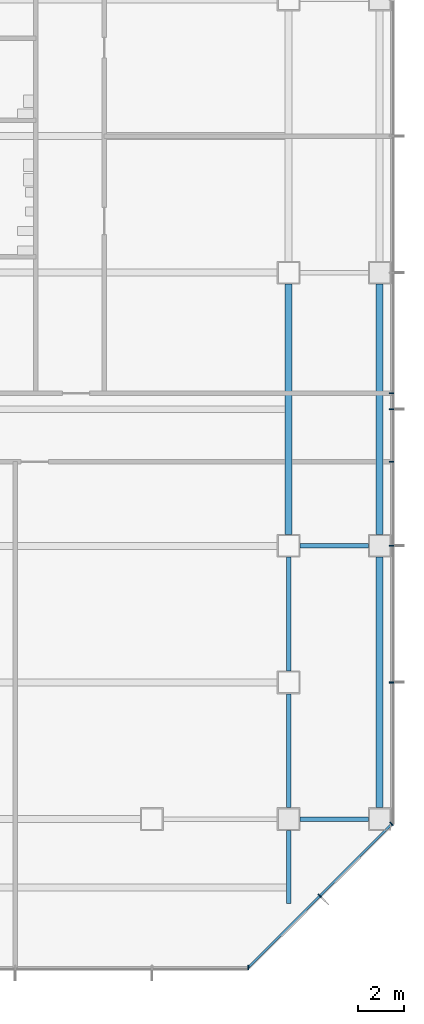
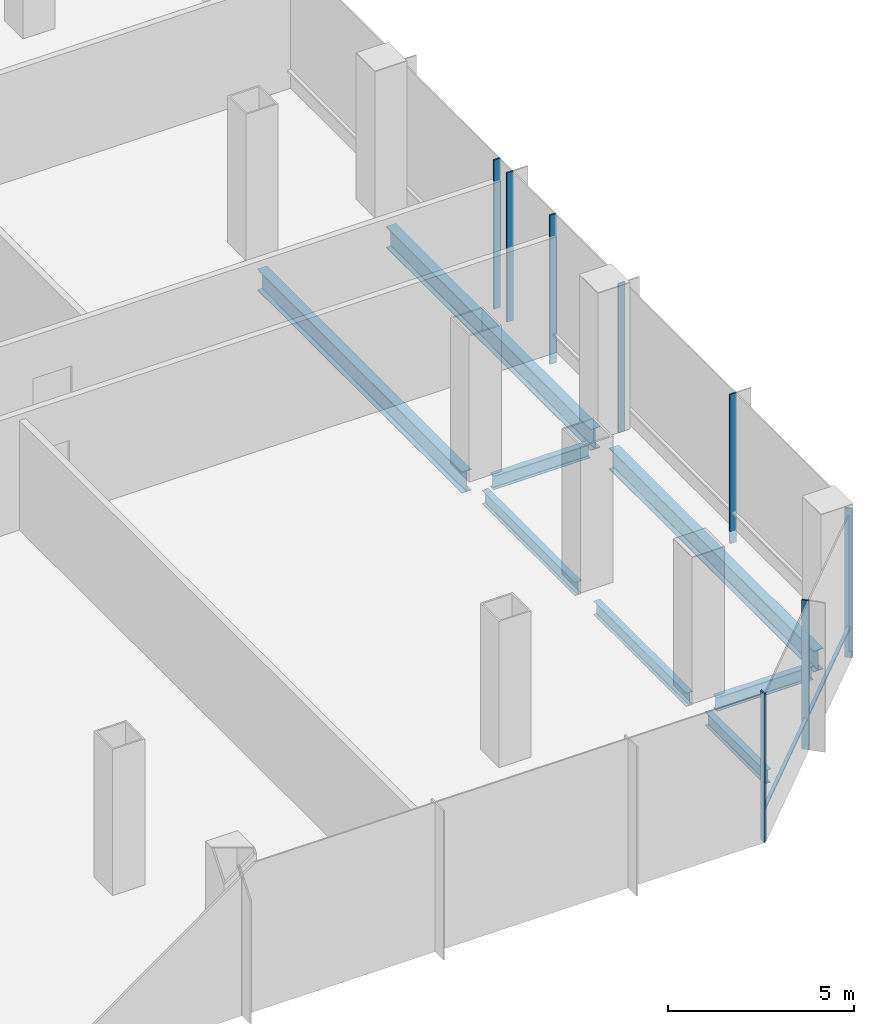
# One storey, part 17 of 34: 9 members, 8 beams, 3 elements without a shape of their own.
"""IFC4 building model written with IfcOpenShell, lengths in metres."""

from ifc_helpers import new_model, si_unit, direction, frame, origin, origin_2d, place, context, subcontext, project, spatial, rectangle, i_section, extrude, material, material_profile, profile_set, type_object, element, aggregate, save


model = new_model("IFC4")

# Units and contexts
model_context = context("Model", 3, precision=1e-05, world=origin(), true_north=direction((0.0, 1.0)))
body_context = subcontext(model_context, "Body", "Model", "MODEL_VIEW")
ifc_project = project(units=[si_unit("LENGTHUNIT", "METRE"), si_unit("AREAUNIT", "SQUARE_METRE"), si_unit("VOLUMEUNIT", "CUBIC_METRE"), si_unit("PLANEANGLEUNIT", "RADIAN"), si_unit("MASSUNIT", "GRAM", prefix="KILO")], contexts=[model_context])

# Site, building, storey
site_placement = place(None, origin())
site = spatial("IfcSite", under=ifc_project, at=site_placement, CompositionType="ELEMENT")
building_placement = place(site_placement, origin())
building = spatial("IfcBuilding", under=site, at=building_placement, Name="Sorahane Residences", CompositionType="ELEMENT")
storey_placement = place(building_placement, frame((0.0, 0.0, 39.60009765625)))
storey = spatial("IfcBuildingStorey", under=building, at=storey_placement, Name="L06", CompositionType="ELEMENT", Elevation=39.60009765625)

# Curtain wall, member
ifc_material_1 = material(Name="Dark low-e glass and black anodised aluminium", Category="aluminium")
curtain_wall_type = type_object("IfcCurtainWallType", Name="Curtain wall CW-3 Podium unitised wall", PredefinedType="NOTDEFINED", material=ifc_material_1)
curtain_wall_1_placement = place(storey_placement, origin())
curtain_wall_1 = element("IfcCurtainWall", 1, at=curtain_wall_1_placement, inside=storey, type_object=curtain_wall_type, Name="CW-3 curtain wall L06 S1", PredefinedType="NOTDEFINED")
ifc_material_2 = material(Name="Black anodised aluminium", Category="aluminium")
ifc_material_profile_1 = material_profile(ifc_material_2, rectangle(XDim=0.199951171875, YDim=0.050048828125, at=origin_2d()), Name="Curtain wall mullion CW-3 black anodised aluminium 50x200")
ifc_profile_set_1 = profile_set([ifc_material_profile_1], Name="Black anodised aluminium")
member_type_1 = type_object("IfcMemberType", Name="Curtain wall mullion CW-3 black anodised aluminium 50x200", PredefinedType="MULLION", material=ifc_profile_set_1)
member_1_placement = place(storey_placement, frame((64.2236328125, -6.52001953125, -0.400146484375), z_axis=(0.0, 0.0, 1.0), x_axis=(0.0, -1.0, 0.0)))
member_1 = element("IfcMember", 2, at=member_1_placement, type_object=member_type_1, Name="CW-3 mullion L06 S1.11", PredefinedType="MULLION", context=body_context, shape_type="SweptSolid", body=[
    extrude(rectangle(XDim=0.199951171875, YDim=0.050048828125, at=origin_2d()), origin(), (0.0, 0.0, 1.0), 4.900146484375),
])
aggregate(curtain_wall_1, [member_1])

# Curtain wall, members
curtain_wall_2_placement = place(storey_placement, origin())
curtain_wall_2 = element("IfcCurtainWall", 3, at=curtain_wall_2_placement, inside=storey, type_object=curtain_wall_type, Name="CW-3 curtain wall L06 SE1", PredefinedType="NOTDEFINED")
member_2_placement = place(storey_placement, frame((67.36767578125, -3.36767578125, -0.400146484375), z_axis=(0.0, 0.0, 1.0), x_axis=(0.707106781187, -0.707106781187, 0.0)))
member_2 = element("IfcMember", 4, at=member_2_placement, type_object=member_type_1, Name="CW-3 mullion L06 SE1.2", PredefinedType="MULLION", context=body_context, shape_type="SweptSolid", body=[
    extrude(rectangle(XDim=0.199951171875, YDim=0.050048828125, at=origin_2d()), origin(), (0.0, 0.0, 1.0), 4.900146484375),
])
member_3_placement = place(storey_placement, frame((70.525634765625, -0.209716796875, -0.400146484375), z_axis=(0.0, 0.0, 1.0), x_axis=(0.707106781187, -0.707106781187, 0.0)))
member_3 = element("IfcMember", 5, at=member_3_placement, type_object=member_type_1, Name="CW-3 mullion L06 SE1.3", PredefinedType="MULLION", context=body_context, shape_type="SweptSolid", body=[
    extrude(rectangle(XDim=0.199951171875, YDim=0.050048828125, at=origin_2d()), origin(), (0.0, 0.0, 1.0), 4.900146484375),
])

curtain_wall_3_placement = place(storey_placement, origin())
curtain_wall_3 = element("IfcCurtainWall", 6, at=curtain_wall_3_placement, inside=storey, type_object=curtain_wall_type, Name="CW-3 curtain wall L06 E1", PredefinedType="NOTDEFINED")
member_4_placement = place(storey_placement, frame((70.52001953125, 6.0, -0.400146484375), z_axis=(0.0, 0.0, 1.0), x_axis=(1.0, 0.0, 0.0)))
member_4 = element("IfcMember", 7, at=member_4_placement, type_object=member_type_1, Name="CW-3 mullion L06 E1.2", PredefinedType="MULLION", context=body_context, shape_type="SweptSolid", body=[
    extrude(rectangle(XDim=0.199951171875, YDim=0.050048828125, at=origin_2d()), origin(), (0.0, 0.0, 1.0), 4.900146484375),
])
member_5_placement = place(storey_placement, frame((70.52001953125, 12.0, -0.400146484375), z_axis=(0.0, 0.0, 1.0), x_axis=(1.0, 0.0, 0.0)))
member_5 = element("IfcMember", 8, at=member_5_placement, type_object=member_type_1, Name="CW-3 mullion L06 E1.3", PredefinedType="MULLION", context=body_context, shape_type="SweptSolid", body=[
    extrude(rectangle(XDim=0.199951171875, YDim=0.050048828125, at=origin_2d()), origin(), (0.0, 0.0, 1.0), 4.900146484375),
])
member_6_placement = place(storey_placement, frame((70.52001953125, 15.699951171875, -0.400146484375), z_axis=(0.0, 0.0, 1.0), x_axis=(1.0, 0.0, 0.0)))
member_6 = element("IfcMember", 9, at=member_6_placement, type_object=member_type_1, Name="CW-3 mullion L06 E1.4", PredefinedType="MULLION", context=body_context, shape_type="SweptSolid", body=[
    extrude(rectangle(XDim=0.199951171875, YDim=0.050048828125, at=origin_2d()), origin(), (0.0, 0.0, 1.0), 4.900146484375),
])
member_7_placement = place(storey_placement, frame((70.52001953125, 18.0, -0.400146484375), z_axis=(0.0, 0.0, 1.0), x_axis=(1.0, 0.0, 0.0)))
member_7 = element("IfcMember", 10, at=member_7_placement, type_object=member_type_1, Name="CW-3 mullion L06 E1.5", PredefinedType="MULLION", context=body_context, shape_type="SweptSolid", body=[
    extrude(rectangle(XDim=0.199951171875, YDim=0.050048828125, at=origin_2d()), origin(), (0.0, 0.0, 1.0), 4.900146484375),
])
member_8_placement = place(storey_placement, frame((70.52001953125, 18.699951171875, -0.400146484375), z_axis=(0.0, 0.0, 1.0), x_axis=(1.0, 0.0, 0.0)))
member_8 = element("IfcMember", 11, at=member_8_placement, type_object=member_type_1, Name="CW-3 mullion L06 E1.6", PredefinedType="MULLION", context=body_context, shape_type="SweptSolid", body=[
    extrude(rectangle(XDim=0.199951171875, YDim=0.050048828125, at=origin_2d()), origin(), (0.0, 0.0, 1.0), 4.900146484375),
])
aggregate(curtain_wall_3, [member_4, member_5, member_6, member_7, member_8])

# Member
ifc_material_3 = material(Name="Black anodised aluminium", Category="aluminium")
ifc_material_profile_2 = material_profile(ifc_material_3, rectangle(XDim=0.10009765625, YDim=0.06005859375, at=origin_2d()), Name="Curtain wall transom CW-3 black anodised aluminium 60x100")
ifc_profile_set_2 = profile_set([ifc_material_profile_2], Name="Black anodised aluminium")
member_type_2 = type_object("IfcMemberType", Name="Curtain wall transom CW-3 black anodised aluminium 60x100", PredefinedType="USERDEFINED", material=ifc_profile_set_2)
member_9_placement = place(storey_placement, frame((64.234375, -6.51513671875, 0.599853515625), z_axis=(0.707106781187, 0.707106781187, 0.0), x_axis=(-0.707106781187, 0.707106781187, 0.0)))
member_9 = element("IfcMember", 12, at=member_9_placement, type_object=member_type_2, Name="CW-3 transom L06 SE1", ObjectType="TRANSOM", PredefinedType="USERDEFINED", context=body_context, shape_type="SweptSolid", body=[
    extrude(rectangle(XDim=0.10009765625, YDim=0.06005859375, at=origin_2d()), origin(), (0.0, 0.0, 1.0), 8.88232421875),
])

aggregate(curtain_wall_2, [member_2, member_3, member_9])

# Beams
ifc_material_4 = material(Name="Steel Q355B", Category="steel")
ifc_material_profile_3 = material_profile(ifc_material_4, i_section(OverallWidth=0.199951171875, OverallDepth=0.449951171875, WebThickness=0.009033203125, FlangeThickness=0.013916015625, FilletRadius=0.02001953125, at=origin_2d()), Name="HN 450x200x9x14")
ifc_profile_set_3 = profile_set([ifc_material_profile_3], Name="Steel Q355B")
beam_type_1 = type_object("IfcBeamType", Name="Steel floor beam HN 450x200x9x14 Q355B", PredefinedType="BEAM", material=ifc_profile_set_3)
for number, where, z_axis, x_axis, name in (
    (13, (66.5, 0.0, -0.625), (1.0, 0.0, 0.0), (0.0, 1.0, 0.0), "Beam L06 007"),
    (14, (66.5, 12.0, -0.625), (1.0, 0.0, 0.0), (0.0, 1.0, 0.0), "Beam L06 013"),
):
    element("IfcBeam", number, at=place(storey_placement, frame(where, z_axis=z_axis, x_axis=x_axis)), inside=storey, type_object=beam_type_1, Name=name, PredefinedType="BEAM", context=body_context, shape_type="SweptSolid", body=[
        extrude(i_section(OverallWidth=0.199951171875, OverallDepth=0.449951171875, WebThickness=0.009033203125, FlangeThickness=0.013916015625, FilletRadius=0.02001953125, at=origin_2d()), origin(), (0.0, 0.0, 1.0), 3.0),
    ])
for number, where, z_axis, x_axis, name in (
    (15, (66.0, 0.5, -0.625), (0.0, 1.0, 0.0), (-1.0, 0.0, 0.0), "Beam L06 070"),
    (16, (66.0, 6.5, -0.625), (0.0, 1.0, 0.0), (-1.0, 0.0, 0.0), "Beam L06 071"),
):
    element("IfcBeam", number, at=place(storey_placement, frame(where, z_axis=z_axis, x_axis=x_axis)), inside=storey, type_object=beam_type_1, Name=name, PredefinedType="BEAM", context=body_context, shape_type="SweptSolid", body=[
        extrude(i_section(OverallWidth=0.199951171875, OverallDepth=0.449951171875, WebThickness=0.009033203125, FlangeThickness=0.013916015625, FilletRadius=0.02001953125, at=origin_2d()), origin(), (0.0, 0.0, 1.0), 5.0),
    ])
beam_placement = place(storey_placement, frame((66.0, -3.699951171875, -0.625), z_axis=(0.0, 1.0, 0.0), x_axis=(-1.0, 0.0, 0.0)))
element("IfcBeam", 17, at=beam_placement, inside=storey, type_object=beam_type_1, Name="Beam L06 087", PredefinedType="BEAM", context=body_context, shape_type="SweptSolid", body=[
    extrude(i_section(OverallWidth=0.199951171875, OverallDepth=0.449951171875, WebThickness=0.009033203125, FlangeThickness=0.013916015625, FilletRadius=0.02001953125, at=origin_2d()), origin(), (0.0, 0.0, 1.0), 3.19970703125),
])
ifc_material_5 = material(Name="Steel Q355B", Category="steel")
ifc_material_profile_4 = material_profile(ifc_material_5, i_section(OverallWidth=0.300048828125, OverallDepth=0.699951171875, WebThickness=0.012939453125, FlangeThickness=0.02392578125, FilletRadius=0.028076171875, at=origin_2d()), Name="HN 700x300x13x24")
ifc_profile_set_4 = profile_set([ifc_material_profile_4], Name="Steel Q355B")
beam_type_2 = type_object("IfcBeamType", Name="Steel floor beam HN 700x300x13x24 Q355B", PredefinedType="BEAM", material=ifc_profile_set_4)
for number, where, z_axis, x_axis, name in (
    (18, (66.0, 12.5, -0.75), (0.0, 1.0, 0.0), (-1.0, 0.0, 0.0), "Beam L06 072"),
    (19, (70.0, 0.5, -0.75), (0.0, 1.0, 0.0), (-1.0, 0.0, 0.0), "Beam L06 076"),
    (20, (70.0, 12.5, -0.75), (0.0, 1.0, 0.0), (-1.0, 0.0, 0.0), "Beam L06 077"),
):
    element("IfcBeam", number, at=place(storey_placement, frame(where, z_axis=z_axis, x_axis=x_axis)), inside=storey, type_object=beam_type_2, Name=name, PredefinedType="BEAM", context=body_context, shape_type="SweptSolid", body=[
        extrude(i_section(OverallWidth=0.300048828125, OverallDepth=0.699951171875, WebThickness=0.012939453125, FlangeThickness=0.02392578125, FilletRadius=0.028076171875, at=origin_2d()), origin(), (0.0, 0.0, 1.0), 11.0),
    ])

save(model, "model.ifc")
